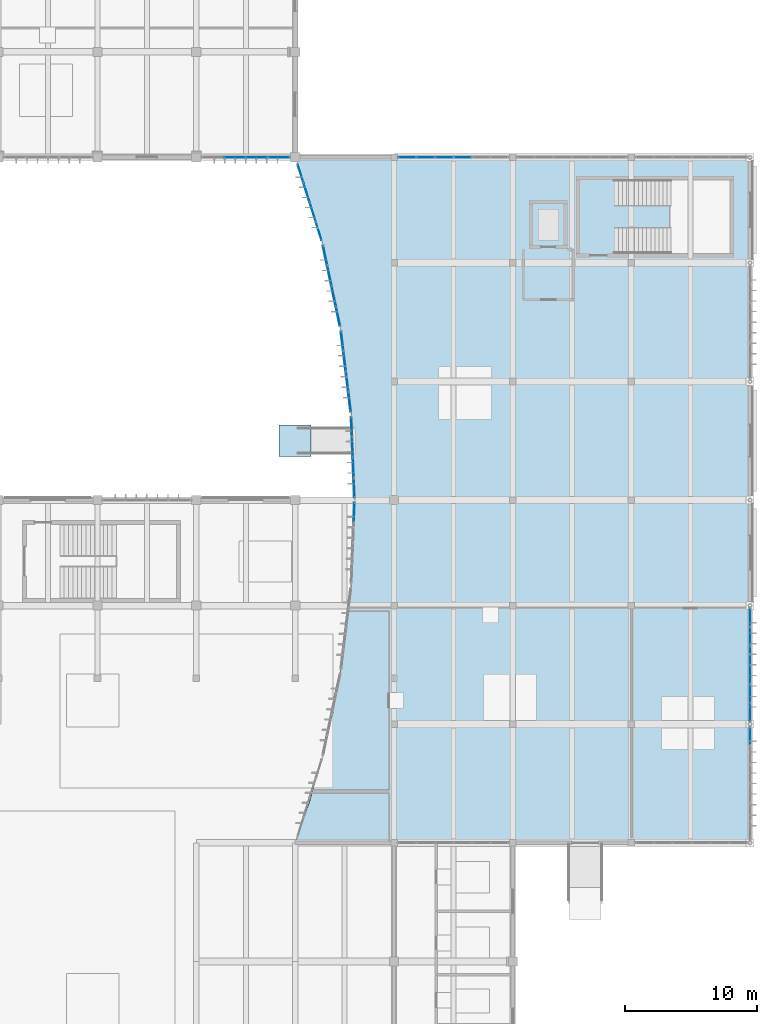
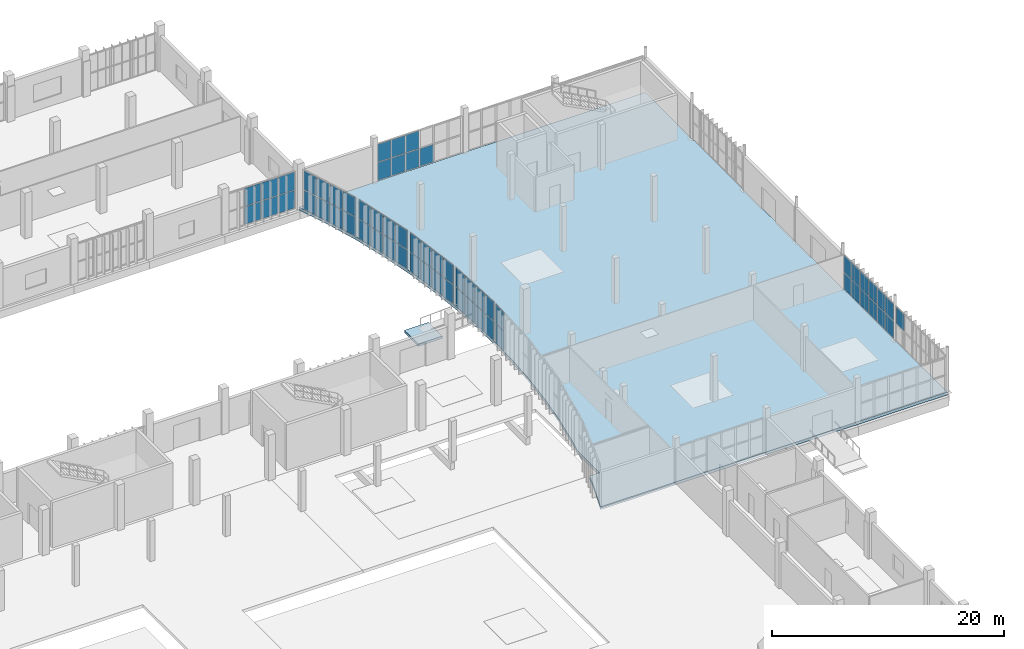
# One storey, part 40 of 72: 60 plates, 2 slabs, 9 elements without a shape of their own.
"""IFC4 building model written with IfcOpenShell, lengths in metres."""

from ifc_helpers import new_model, si_unit, direction, frame, origin, origin_2d, place, context, subcontext, project, spatial, polyline, rectangle, outline, extrude, material, layer, layer_set, type_object, element, aggregate, save


model = new_model("IFC4")

# Units and contexts
model_context = context("Model", 3, precision=1e-05, world=origin(), true_north=direction((0.0, 1.0)))
body_context = subcontext(model_context, "Body", "Model", "MODEL_VIEW")
ifc_project = project(units=[si_unit("LENGTHUNIT", "METRE"), si_unit("AREAUNIT", "SQUARE_METRE"), si_unit("VOLUMEUNIT", "CUBIC_METRE"), si_unit("PLANEANGLEUNIT", "RADIAN"), si_unit("MASSUNIT", "GRAM", prefix="KILO")], contexts=[model_context])

# Site, building, storey
site_placement = place(None, origin())
site = spatial("IfcSite", under=ifc_project, at=site_placement, CompositionType="ELEMENT")
building_placement = place(site_placement, origin())
building = spatial("IfcBuilding", under=site, at=building_placement, Name="Vourika Railside Aquatics Centre", CompositionType="ELEMENT")
storey_placement = place(building_placement, origin())
storey = spatial("IfcBuildingStorey", under=building, at=storey_placement, Name="L00", CompositionType="ELEMENT", Elevation=0.0)

# Curtain wall, plates
ifc_material_1 = material(Name="Anodized thermally broken aluminium", Category="aluminium")
curtain_wall_type_1 = type_object("IfcCurtainWallType", Name="CW-FIT0", PredefinedType="NOTDEFINED", material=ifc_material_1)
curtain_wall_1_placement = place(storey_placement, origin())
curtain_wall_1 = element("IfcCurtainWall", 1, at=curtain_wall_1_placement, inside=storey, type_object=curtain_wall_type_1, Name="Courtyard Fitness Curtain Wall L00-13", PredefinedType="NOTDEFINED")
ifc_material_2 = material(Name="Low-E solar-control laminated double glazing", Category="glass")
ifc_layer_1 = layer(ifc_material_2, 0.031982421875, Name="CWP-FIT0")
ifc_layer_set_1 = layer_set([ifc_layer_1], Name="Low-E solar-control laminated double glazing")
plate_type_1 = type_object("IfcPlateType", Name="CWP-FIT0", PredefinedType="CURTAIN_PANEL", material=ifc_layer_set_1)
plate_1_placement = place(storey_placement, frame((128.907470703125, 92.0, 0.06494140625), z_axis=(0.0, 0.0, 1.0), x_axis=(1.0, 0.0, 0.0)))
plate_1 = element("IfcPlate", 2, at=plate_1_placement, type_object=plate_type_1, Name="CW14 panel 2.1", PredefinedType="CURTAIN_PANEL", context=body_context, shape_type="SweptSolid", body=[
    extrude(rectangle(XDim=1.6201171875, YDim=0.031982421875, at=origin_2d()), origin(), (0.0, 0.0, 1.0), 1.867431640625),
])
plate_2_placement = place(storey_placement, frame((128.907470703125, 92.0, 1.99755859375), z_axis=(0.0, 0.0, 1.0), x_axis=(1.0, 0.0, 0.0)))
plate_2 = element("IfcPlate", 3, at=plate_2_placement, type_object=plate_type_1, Name="CW14 panel 2.2", PredefinedType="CURTAIN_PANEL", context=body_context, shape_type="SweptSolid", body=[
    extrude(rectangle(XDim=1.6201171875, YDim=0.031982421875, at=origin_2d()), origin(), (0.0, 0.0, 1.0), 1.867431640625),
])
plate_3_placement = place(storey_placement, frame((130.592529296875, 92.0, 0.06494140625), z_axis=(0.0, 0.0, 1.0), x_axis=(1.0, 0.0, 0.0)))
plate_3 = element("IfcPlate", 4, at=plate_3_placement, type_object=plate_type_1, Name="CW14 panel 3.1", PredefinedType="CURTAIN_PANEL", context=body_context, shape_type="SweptSolid", body=[
    extrude(rectangle(XDim=1.6201171875, YDim=0.031982421875, at=origin_2d()), origin(), (0.0, 0.0, 1.0), 1.867431640625),
])
plate_4_placement = place(storey_placement, frame((130.592529296875, 92.0, 1.99755859375), z_axis=(0.0, 0.0, 1.0), x_axis=(1.0, 0.0, 0.0)))
plate_4 = element("IfcPlate", 5, at=plate_4_placement, type_object=plate_type_1, Name="CW14 panel 3.2", PredefinedType="CURTAIN_PANEL", context=body_context, shape_type="SweptSolid", body=[
    extrude(rectangle(XDim=1.6201171875, YDim=0.031982421875, at=origin_2d()), origin(), (0.0, 0.0, 1.0), 1.867431640625),
])
plate_5_placement = place(storey_placement, frame((132.26123046875, 92.0, 0.06494140625), z_axis=(0.0, 0.0, 1.0), x_axis=(1.0, 0.0, 0.0)))
plate_5 = element("IfcPlate", 6, at=plate_5_placement, type_object=plate_type_1, Name="CW14 panel 4.1", PredefinedType="CURTAIN_PANEL", context=body_context, shape_type="SweptSolid", body=[
    extrude(rectangle(XDim=1.58740234375, YDim=0.031982421875, at=origin_2d()), origin(), (0.0, 0.0, 1.0), 1.867431640625),
])
plate_6_placement = place(storey_placement, frame((132.26123046875, 92.0, 1.99755859375), z_axis=(0.0, 0.0, 1.0), x_axis=(1.0, 0.0, 0.0)))
plate_6 = element("IfcPlate", 7, at=plate_6_placement, type_object=plate_type_1, Name="CW14 panel 4.2", PredefinedType="CURTAIN_PANEL", context=body_context, shape_type="SweptSolid", body=[
    extrude(rectangle(XDim=1.58740234375, YDim=0.031982421875, at=origin_2d()), origin(), (0.0, 0.0, 1.0), 1.867431640625),
])
aggregate(curtain_wall_1, [plate_1, plate_2, plate_3, plate_4, plate_5, plate_6])

curtain_wall_type_2 = type_object("IfcCurtainWallType", Name="CW-FOYC0", PredefinedType="NOTDEFINED", material=ifc_material_1)
curtain_wall_2_placement = place(storey_placement, origin())
curtain_wall_2 = element("IfcCurtainWall", 8, at=curtain_wall_2_placement, inside=storey, type_object=curtain_wall_type_2, Name="Curved Courtyard Foyer Curtain Wall L00-4", PredefinedType="NOTDEFINED")
ifc_layer_2 = layer(ifc_material_2, 0.031982421875, Name="CWP-FOYC0")
ifc_layer_set_2 = layer_set([ifc_layer_2], Name="Low-E solar-control laminated double glazing")
plate_type_2 = type_object("IfcPlateType", Name="CWP-FOYC0", PredefinedType="CURTAIN_PANEL", material=ifc_layer_set_2)
plate_7_placement = place(storey_placement, frame((137.968017578125, 65.06396484375, 0.07421875), z_axis=(0.0, 0.0, 1.0), x_axis=(-0.040000115606, -0.999199675116, 0.0)))
plate_7 = element("IfcPlate", 9, at=plate_7_placement, type_object=plate_type_2, Name="CW07 panel 1.1", PredefinedType="CURTAIN_PANEL", context=body_context, shape_type="SweptSolid", body=[
    extrude(rectangle(XDim=1.4453125, YDim=0.031982421875, at=origin_2d()), origin(), (0.0, 0.0, 1.0), 1.989013671875),
])
plate_8_placement = place(storey_placement, frame((137.968017578125, 65.06396484375, 2.13720703125), z_axis=(0.0, 0.0, 1.0), x_axis=(-0.040000115606, -0.999199675116, 0.0)))
plate_8 = element("IfcPlate", 10, at=plate_8_placement, type_object=plate_type_2, Name="CW07 panel 1.2", PredefinedType="CURTAIN_PANEL", context=body_context, shape_type="SweptSolid", body=[
    extrude(rectangle(XDim=1.4453125, YDim=0.031982421875, at=origin_2d()), origin(), (0.0, 0.0, 1.0), 1.989013671875),
])
aggregate(curtain_wall_2, [plate_7, plate_8])

curtain_wall_3_placement = place(storey_placement, origin())
curtain_wall_3 = element("IfcCurtainWall", 11, at=curtain_wall_3_placement, inside=storey, type_object=curtain_wall_type_2, Name="Curved Courtyard Foyer Curtain Wall L00-5", PredefinedType="NOTDEFINED")
plate_9_placement = place(storey_placement, frame((137.782958984375, 71.56396484375, 0.07421875), z_axis=(0.0, 0.0, 1.0), x_axis=(0.040000115606, -0.999199675116, 0.0)))
plate_9 = element("IfcPlate", 12, at=plate_9_placement, type_object=plate_type_2, Name="CW07 panel 1.1", PredefinedType="CURTAIN_PANEL", context=body_context, shape_type="SweptSolid", body=[
    extrude(rectangle(XDim=1.4453125, YDim=0.031982421875, at=origin_2d()), origin(), (0.0, 0.0, 1.0), 1.989013671875),
])
plate_10_placement = place(storey_placement, frame((137.782958984375, 71.56396484375, 2.13720703125), z_axis=(0.0, 0.0, 1.0), x_axis=(0.040000115606, -0.999199675116, 0.0)))
plate_10 = element("IfcPlate", 13, at=plate_10_placement, type_object=plate_type_2, Name="CW07 panel 1.2", PredefinedType="CURTAIN_PANEL", context=body_context, shape_type="SweptSolid", body=[
    extrude(rectangle(XDim=1.4453125, YDim=0.031982421875, at=origin_2d()), origin(), (0.0, 0.0, 1.0), 1.989013671875),
])
plate_11_placement = place(storey_placement, frame((137.844482421875, 70.027587890625, 0.07421875), z_axis=(0.0, 0.0, 1.0), x_axis=(0.040000115606, -0.999199675116, 0.0)))
plate_11 = element("IfcPlate", 14, at=plate_11_placement, type_object=plate_type_2, Name="CW07 panel 2.1", PredefinedType="CURTAIN_PANEL", context=body_context, shape_type="SweptSolid", body=[
    extrude(rectangle(XDim=1.482177734375, YDim=0.031982421875, at=origin_2d()), origin(), (0.0, 0.0, 1.0), 1.989013671875),
])
plate_12_placement = place(storey_placement, frame((137.844482421875, 70.027587890625, 2.13720703125), z_axis=(0.0, 0.0, 1.0), x_axis=(0.040000115606, -0.999199675116, 0.0)))
plate_12 = element("IfcPlate", 15, at=plate_12_placement, type_object=plate_type_2, Name="CW07 panel 2.2", PredefinedType="CURTAIN_PANEL", context=body_context, shape_type="SweptSolid", body=[
    extrude(rectangle(XDim=1.482177734375, YDim=0.031982421875, at=origin_2d()), origin(), (0.0, 0.0, 1.0), 1.989013671875),
])
plate_13_placement = place(storey_placement, frame((137.90673828125, 68.472412109375, 0.07421875), z_axis=(0.0, 0.0, 1.0), x_axis=(0.040000115606, -0.999199675116, 0.0)))
plate_13 = element("IfcPlate", 16, at=plate_13_placement, type_object=plate_type_2, Name="CW07 panel 3.1", PredefinedType="CURTAIN_PANEL", context=body_context, shape_type="SweptSolid", body=[
    extrude(rectangle(XDim=1.482177734375, YDim=0.031982421875, at=origin_2d()), origin(), (0.0, 0.0, 1.0), 1.989013671875),
])
plate_14_placement = place(storey_placement, frame((137.90673828125, 68.472412109375, 2.13720703125), z_axis=(0.0, 0.0, 1.0), x_axis=(0.040000115606, -0.999199675116, 0.0)))
plate_14 = element("IfcPlate", 17, at=plate_14_placement, type_object=plate_type_2, Name="CW07 panel 3.2", PredefinedType="CURTAIN_PANEL", context=body_context, shape_type="SweptSolid", body=[
    extrude(rectangle(XDim=1.482177734375, YDim=0.031982421875, at=origin_2d()), origin(), (0.0, 0.0, 1.0), 1.989013671875),
])
plate_15_placement = place(storey_placement, frame((137.968017578125, 66.93603515625, 0.07421875), z_axis=(0.0, 0.0, 1.0), x_axis=(0.040000115606, -0.999199675116, 0.0)))
plate_15 = element("IfcPlate", 18, at=plate_15_placement, type_object=plate_type_2, Name="CW07 panel 4.1", PredefinedType="CURTAIN_PANEL", context=body_context, shape_type="SweptSolid", body=[
    extrude(rectangle(XDim=1.4453125, YDim=0.031982421875, at=origin_2d()), origin(), (0.0, 0.0, 1.0), 1.989013671875),
])
plate_16_placement = place(storey_placement, frame((137.968017578125, 66.93603515625, 2.13720703125), z_axis=(0.0, 0.0, 1.0), x_axis=(0.040000115606, -0.999199675116, 0.0)))
plate_16 = element("IfcPlate", 19, at=plate_16_placement, type_object=plate_type_2, Name="CW07 panel 4.2", PredefinedType="CURTAIN_PANEL", context=body_context, shape_type="SweptSolid", body=[
    extrude(rectangle(XDim=1.4453125, YDim=0.031982421875, at=origin_2d()), origin(), (0.0, 0.0, 1.0), 1.989013671875),
])
aggregate(curtain_wall_3, [plate_9, plate_10, plate_11, plate_12, plate_13, plate_14, plate_15, plate_16])

curtain_wall_4_placement = place(storey_placement, origin())
curtain_wall_4 = element("IfcCurtainWall", 20, at=curtain_wall_4_placement, inside=storey, type_object=curtain_wall_type_2, Name="Curved Courtyard Foyer Curtain Wall L00-6", PredefinedType="NOTDEFINED")
plate_17_placement = place(storey_placement, frame((137.0654296875, 78.064208984375, 0.07421875), z_axis=(0.0, 0.0, 1.0), x_axis=(0.121441721361, -0.992598563525, 0.0)))
plate_17 = element("IfcPlate", 21, at=plate_17_placement, type_object=plate_type_2, Name="CW07 panel 1.1", PredefinedType="CURTAIN_PANEL", context=body_context, shape_type="SweptSolid", body=[
    extrude(rectangle(XDim=1.45556640625, YDim=0.031982421875, at=origin_2d()), origin(), (0.0, 0.0, 1.0), 1.989013671875),
])
plate_18_placement = place(storey_placement, frame((137.0654296875, 78.064208984375, 2.13720703125), z_axis=(0.0, 0.0, 1.0), x_axis=(0.121441721361, -0.992598563525, 0.0)))
plate_18 = element("IfcPlate", 22, at=plate_18_placement, type_object=plate_type_2, Name="CW07 panel 1.2", PredefinedType="CURTAIN_PANEL", context=body_context, shape_type="SweptSolid", body=[
    extrude(rectangle(XDim=1.45556640625, YDim=0.031982421875, at=origin_2d()), origin(), (0.0, 0.0, 1.0), 1.989013671875),
])
plate_19_placement = place(storey_placement, frame((137.25341796875, 76.527587890625, 0.07421875), z_axis=(0.0, 0.0, 1.0), x_axis=(0.121441721361, -0.992598563525, 0.0)))
plate_19 = element("IfcPlate", 23, at=plate_19_placement, type_object=plate_type_2, Name="CW07 panel 2.1", PredefinedType="CURTAIN_PANEL", context=body_context, shape_type="SweptSolid", body=[
    extrude(rectangle(XDim=1.49267578125, YDim=0.031982421875, at=origin_2d()), origin(), (0.0, 0.0, 1.0), 1.989013671875),
])
plate_20_placement = place(storey_placement, frame((137.25341796875, 76.527587890625, 2.13720703125), z_axis=(0.0, 0.0, 1.0), x_axis=(0.121441721361, -0.992598563525, 0.0)))
plate_20 = element("IfcPlate", 24, at=plate_20_placement, type_object=plate_type_2, Name="CW07 panel 2.2", PredefinedType="CURTAIN_PANEL", context=body_context, shape_type="SweptSolid", body=[
    extrude(rectangle(XDim=1.49267578125, YDim=0.031982421875, at=origin_2d()), origin(), (0.0, 0.0, 1.0), 1.989013671875),
])
plate_21_placement = place(storey_placement, frame((137.443603515625, 74.972412109375, 0.07421875), z_axis=(0.0, 0.0, 1.0), x_axis=(0.121441721361, -0.992598563525, 0.0)))
plate_21 = element("IfcPlate", 25, at=plate_21_placement, type_object=plate_type_2, Name="CW07 panel 3.1", PredefinedType="CURTAIN_PANEL", context=body_context, shape_type="SweptSolid", body=[
    extrude(rectangle(XDim=1.49267578125, YDim=0.031982421875, at=origin_2d()), origin(), (0.0, 0.0, 1.0), 1.989013671875),
])
plate_22_placement = place(storey_placement, frame((137.443603515625, 74.972412109375, 2.13720703125), z_axis=(0.0, 0.0, 1.0), x_axis=(0.121441721361, -0.992598563525, 0.0)))
plate_22 = element("IfcPlate", 26, at=plate_22_placement, type_object=plate_type_2, Name="CW07 panel 3.2", PredefinedType="CURTAIN_PANEL", context=body_context, shape_type="SweptSolid", body=[
    extrude(rectangle(XDim=1.49267578125, YDim=0.031982421875, at=origin_2d()), origin(), (0.0, 0.0, 1.0), 1.989013671875),
])
plate_23_placement = place(storey_placement, frame((137.631591796875, 73.435791015625, 0.07421875), z_axis=(0.0, 0.0, 1.0), x_axis=(0.121441721361, -0.992598563525, 0.0)))
plate_23 = element("IfcPlate", 27, at=plate_23_placement, type_object=plate_type_2, Name="CW07 panel 4.1", PredefinedType="CURTAIN_PANEL", context=body_context, shape_type="SweptSolid", body=[
    extrude(rectangle(XDim=1.45556640625, YDim=0.031982421875, at=origin_2d()), origin(), (0.0, 0.0, 1.0), 1.989013671875),
])
plate_24_placement = place(storey_placement, frame((137.631591796875, 73.435791015625, 2.13720703125), z_axis=(0.0, 0.0, 1.0), x_axis=(0.121441721361, -0.992598563525, 0.0)))
plate_24 = element("IfcPlate", 28, at=plate_24_placement, type_object=plate_type_2, Name="CW07 panel 4.2", PredefinedType="CURTAIN_PANEL", context=body_context, shape_type="SweptSolid", body=[
    extrude(rectangle(XDim=1.45556640625, YDim=0.031982421875, at=origin_2d()), origin(), (0.0, 0.0, 1.0), 1.989013671875),
])
aggregate(curtain_wall_4, [plate_17, plate_18, plate_19, plate_20, plate_21, plate_22, plate_23, plate_24])

curtain_wall_5_placement = place(storey_placement, origin())
curtain_wall_5 = element("IfcCurtainWall", 29, at=curtain_wall_5_placement, inside=storey, type_object=curtain_wall_type_2, Name="Curved Courtyard Foyer Curtain Wall L00-7", PredefinedType="NOTDEFINED")
plate_25_placement = place(storey_placement, frame((135.770751953125, 84.564453125, 0.07421875), z_axis=(0.0, 0.0, 1.0), x_axis=(0.207595418094, -0.978214773139, 0.0)))
plate_25 = element("IfcPlate", 30, at=plate_25_placement, type_object=plate_type_2, Name="CW07 panel 1.1", PredefinedType="CURTAIN_PANEL", context=body_context, shape_type="SweptSolid", body=[
    extrude(rectangle(XDim=1.478515625, YDim=0.031982421875, at=origin_2d()), origin(), (0.0, 0.0, 1.0), 1.989013671875),
])
plate_26_placement = place(storey_placement, frame((135.770751953125, 84.564453125, 2.13720703125), z_axis=(0.0, 0.0, 1.0), x_axis=(0.207595418094, -0.978214773139, 0.0)))
plate_26 = element("IfcPlate", 31, at=plate_26_placement, type_object=plate_type_2, Name="CW07 panel 1.2", PredefinedType="CURTAIN_PANEL", context=body_context, shape_type="SweptSolid", body=[
    extrude(rectangle(XDim=1.478515625, YDim=0.031982421875, at=origin_2d()), origin(), (0.0, 0.0, 1.0), 1.989013671875),
])
plate_27_placement = place(storey_placement, frame((136.096923828125, 83.027587890625, 0.07421875), z_axis=(0.0, 0.0, 1.0), x_axis=(0.207595418094, -0.978214773139, 0.0)))
plate_27 = element("IfcPlate", 32, at=plate_27_placement, type_object=plate_type_2, Name="CW07 panel 2.1", PredefinedType="CURTAIN_PANEL", context=body_context, shape_type="SweptSolid", body=[
    extrude(rectangle(XDim=1.515625, YDim=0.031982421875, at=origin_2d()), origin(), (0.0, 0.0, 1.0), 1.989013671875),
])
plate_28_placement = place(storey_placement, frame((136.096923828125, 83.027587890625, 2.13720703125), z_axis=(0.0, 0.0, 1.0), x_axis=(0.207595418094, -0.978214773139, 0.0)))
plate_28 = element("IfcPlate", 33, at=plate_28_placement, type_object=plate_type_2, Name="CW07 panel 2.2", PredefinedType="CURTAIN_PANEL", context=body_context, shape_type="SweptSolid", body=[
    extrude(rectangle(XDim=1.515625, YDim=0.031982421875, at=origin_2d()), origin(), (0.0, 0.0, 1.0), 1.989013671875),
])
plate_29_placement = place(storey_placement, frame((136.427001953125, 81.472412109375, 0.07421875), z_axis=(0.0, 0.0, 1.0), x_axis=(0.207595418094, -0.978214773139, 0.0)))
plate_29 = element("IfcPlate", 34, at=plate_29_placement, type_object=plate_type_2, Name="CW07 panel 3.1", PredefinedType="CURTAIN_PANEL", context=body_context, shape_type="SweptSolid", body=[
    extrude(rectangle(XDim=1.515625, YDim=0.031982421875, at=origin_2d()), origin(), (0.0, 0.0, 1.0), 1.989013671875),
])
plate_30_placement = place(storey_placement, frame((136.427001953125, 81.472412109375, 2.13720703125), z_axis=(0.0, 0.0, 1.0), x_axis=(0.207595418094, -0.978214773139, 0.0)))
plate_30 = element("IfcPlate", 35, at=plate_30_placement, type_object=plate_type_2, Name="CW07 panel 3.2", PredefinedType="CURTAIN_PANEL", context=body_context, shape_type="SweptSolid", body=[
    extrude(rectangle(XDim=1.515625, YDim=0.031982421875, at=origin_2d()), origin(), (0.0, 0.0, 1.0), 1.989013671875),
])
plate_31_placement = place(storey_placement, frame((136.753173828125, 79.935546875, 0.07421875), z_axis=(0.0, 0.0, 1.0), x_axis=(0.207595418094, -0.978214773139, 0.0)))
plate_31 = element("IfcPlate", 36, at=plate_31_placement, type_object=plate_type_2, Name="CW07 panel 4.1", PredefinedType="CURTAIN_PANEL", context=body_context, shape_type="SweptSolid", body=[
    extrude(rectangle(XDim=1.478515625, YDim=0.031982421875, at=origin_2d()), origin(), (0.0, 0.0, 1.0), 1.989013671875),
])
plate_32_placement = place(storey_placement, frame((136.753173828125, 79.935546875, 2.13720703125), z_axis=(0.0, 0.0, 1.0), x_axis=(0.207595418094, -0.978214773139, 0.0)))
plate_32 = element("IfcPlate", 37, at=plate_32_placement, type_object=plate_type_2, Name="CW07 panel 4.2", PredefinedType="CURTAIN_PANEL", context=body_context, shape_type="SweptSolid", body=[
    extrude(rectangle(XDim=1.478515625, YDim=0.031982421875, at=origin_2d()), origin(), (0.0, 0.0, 1.0), 1.989013671875),
])
aggregate(curtain_wall_5, [plate_25, plate_26, plate_27, plate_28, plate_29, plate_30, plate_31, plate_32])

curtain_wall_6_placement = place(storey_placement, origin())
curtain_wall_6 = element("IfcCurtainWall", 38, at=curtain_wall_6_placement, inside=storey, type_object=curtain_wall_type_2, Name="Curved Courtyard Foyer Curtain Wall L00-8", PredefinedType="NOTDEFINED")
plate_33_placement = place(storey_placement, frame((133.916748046875, 90.767333984375, 0.07421875), z_axis=(0.0, 0.0, 1.0), x_axis=(0.29997424472, -0.953947300696, 0.0)))
plate_33 = element("IfcPlate", 39, at=plate_33_placement, type_object=plate_type_2, Name="CW07 panel 1.1", PredefinedType="CURTAIN_PANEL", context=body_context, shape_type="SweptSolid", body=[
    extrude(rectangle(XDim=1.429931640625, YDim=0.031982421875, at=origin_2d()), origin(), (0.0, 0.0, 1.0), 1.989013671875),
])
plate_34_placement = place(storey_placement, frame((133.916748046875, 90.767333984375, 2.13720703125), z_axis=(0.0, 0.0, 1.0), x_axis=(0.29997424472, -0.953947300696, 0.0)))
plate_34 = element("IfcPlate", 40, at=plate_34_placement, type_object=plate_type_2, Name="CW07 panel 1.2", PredefinedType="CURTAIN_PANEL", context=body_context, shape_type="SweptSolid", body=[
    extrude(rectangle(XDim=1.429931640625, YDim=0.031982421875, at=origin_2d()), origin(), (0.0, 0.0, 1.0), 1.989013671875),
])
plate_35_placement = place(storey_placement, frame((134.373291015625, 89.31494140625, 0.07421875), z_axis=(0.0, 0.0, 1.0), x_axis=(0.29997424472, -0.953947300696, 0.0)))
plate_35 = element("IfcPlate", 41, at=plate_35_placement, type_object=plate_type_2, Name="CW07 panel 2.1", PredefinedType="CURTAIN_PANEL", context=body_context, shape_type="SweptSolid", body=[
    extrude(rectangle(XDim=1.467041015625, YDim=0.031982421875, at=origin_2d()), origin(), (0.0, 0.0, 1.0), 1.989013671875),
])
plate_36_placement = place(storey_placement, frame((134.373291015625, 89.31494140625, 2.13720703125), z_axis=(0.0, 0.0, 1.0), x_axis=(0.29997424472, -0.953947300696, 0.0)))
plate_36 = element("IfcPlate", 42, at=plate_36_placement, type_object=plate_type_2, Name="CW07 panel 2.2", PredefinedType="CURTAIN_PANEL", context=body_context, shape_type="SweptSolid", body=[
    extrude(rectangle(XDim=1.467041015625, YDim=0.031982421875, at=origin_2d()), origin(), (0.0, 0.0, 1.0), 1.989013671875),
])
plate_37_placement = place(storey_placement, frame((134.835693359375, 87.844970703125, 0.07421875), z_axis=(0.0, 0.0, 1.0), x_axis=(0.29997424472, -0.953947300696, 0.0)))
plate_37 = element("IfcPlate", 43, at=plate_37_placement, type_object=plate_type_2, Name="CW07 panel 3.1", PredefinedType="CURTAIN_PANEL", context=body_context, shape_type="SweptSolid", body=[
    extrude(rectangle(XDim=1.467041015625, YDim=0.031982421875, at=origin_2d()), origin(), (0.0, 0.0, 1.0), 1.989013671875),
])
plate_38_placement = place(storey_placement, frame((134.835693359375, 87.844970703125, 2.13720703125), z_axis=(0.0, 0.0, 1.0), x_axis=(0.29997424472, -0.953947300696, 0.0)))
plate_38 = element("IfcPlate", 44, at=plate_38_placement, type_object=plate_type_2, Name="CW07 panel 3.2", PredefinedType="CURTAIN_PANEL", context=body_context, shape_type="SweptSolid", body=[
    extrude(rectangle(XDim=1.467041015625, YDim=0.031982421875, at=origin_2d()), origin(), (0.0, 0.0, 1.0), 1.989013671875),
])
plate_39_placement = place(storey_placement, frame((135.292236328125, 86.392578125, 0.07421875), z_axis=(0.0, 0.0, 1.0), x_axis=(0.29997424472, -0.953947300696, 0.0)))
plate_39 = element("IfcPlate", 45, at=plate_39_placement, type_object=plate_type_2, Name="CW07 panel 4.1", PredefinedType="CURTAIN_PANEL", context=body_context, shape_type="SweptSolid", body=[
    extrude(rectangle(XDim=1.429931640625, YDim=0.031982421875, at=origin_2d()), origin(), (0.0, 0.0, 1.0), 1.989013671875),
])
plate_40_placement = place(storey_placement, frame((135.292236328125, 86.392578125, 2.13720703125), z_axis=(0.0, 0.0, 1.0), x_axis=(0.29997424472, -0.953947300696, 0.0)))
plate_40 = element("IfcPlate", 46, at=plate_40_placement, type_object=plate_type_2, Name="CW07 panel 4.2", PredefinedType="CURTAIN_PANEL", context=body_context, shape_type="SweptSolid", body=[
    extrude(rectangle(XDim=1.429931640625, YDim=0.031982421875, at=origin_2d()), origin(), (0.0, 0.0, 1.0), 1.989013671875),
])
aggregate(curtain_wall_6, [plate_33, plate_34, plate_35, plate_36, plate_37, plate_38, plate_39, plate_40])

# Curtain wall, plate
curtain_wall_type_3 = type_object("IfcCurtainWallType", Name="CW-FOYE", PredefinedType="NOTDEFINED", material=ifc_material_1)
curtain_wall_7_placement = place(storey_placement, origin())
curtain_wall_7 = element("IfcCurtainWall", 47, at=curtain_wall_7_placement, inside=storey, type_object=curtain_wall_type_3, Name="East Arrival Facade Curtain Wall L00-1", PredefinedType="NOTDEFINED")
ifc_layer_3 = layer(ifc_material_2, 0.031982421875, Name="CWP-FOYE")
ifc_layer_set_3 = layer_set([ifc_layer_3], Name="Low-E solar-control laminated double glazing")
plate_type_3 = type_object("IfcPlateType", Name="CWP-FOYE", PredefinedType="CURTAIN_PANEL", material=ifc_layer_set_3)
plate_41_placement = place(storey_placement, frame((168.0, 48.092529296875, 1.902587890625), z_axis=(0.0, 0.0, 1.0), x_axis=(0.0, 1.0, 0.0)))
plate_41 = element("IfcPlate", 48, at=plate_41_placement, type_object=plate_type_3, Name="CW10 panel 6.2", PredefinedType="CURTAIN_PANEL", context=body_context, shape_type="SweptSolid", body=[
    extrude(rectangle(XDim=1.33203125, YDim=0.031982421875, at=origin_2d()), origin(), (0.0, 0.0, 1.0), 1.75244140625),
])
aggregate(curtain_wall_7, [plate_41])

# Curtain wall, plates
curtain_wall_8_placement = place(storey_placement, origin())
curtain_wall_8 = element("IfcCurtainWall", 49, at=curtain_wall_8_placement, inside=storey, type_object=curtain_wall_type_3, Name="East Arrival Facade Curtain Wall L00-2", PredefinedType="NOTDEFINED")
plate_42_placement = place(storey_placement, frame((168.0, 49.907470703125, 0.074951171875), z_axis=(0.0, 0.0, 1.0), x_axis=(0.0, 1.0, 0.0)))
plate_42 = element("IfcPlate", 50, at=plate_42_placement, type_object=plate_type_3, Name="CW10 panel 1.1", PredefinedType="CURTAIN_PANEL", context=body_context, shape_type="SweptSolid", body=[
    extrude(rectangle(XDim=1.33203125, YDim=0.031982421875, at=origin_2d()), origin(), (0.0, 0.0, 1.0), 1.75244140625),
])
plate_43_placement = place(storey_placement, frame((168.0, 49.907470703125, 1.902587890625), z_axis=(0.0, 0.0, 1.0), x_axis=(0.0, 1.0, 0.0)))
plate_43 = element("IfcPlate", 51, at=plate_43_placement, type_object=plate_type_3, Name="CW10 panel 1.2", PredefinedType="CURTAIN_PANEL", context=body_context, shape_type="SweptSolid", body=[
    extrude(rectangle(XDim=1.33203125, YDim=0.031982421875, at=origin_2d()), origin(), (0.0, 0.0, 1.0), 1.75244140625),
])
plate_44_placement = place(storey_placement, frame((168.0, 51.333251953125, 0.074951171875), z_axis=(0.0, 0.0, 1.0), x_axis=(0.0, 1.0, 0.0)))
plate_44 = element("IfcPlate", 52, at=plate_44_placement, type_object=plate_type_3, Name="CW10 panel 2.1", PredefinedType="CURTAIN_PANEL", context=body_context, shape_type="SweptSolid", body=[
    extrude(rectangle(XDim=1.369384765625, YDim=0.031982421875, at=origin_2d()), origin(), (0.0, 0.0, 1.0), 1.75244140625),
])
plate_45_placement = place(storey_placement, frame((168.0, 51.333251953125, 1.902587890625), z_axis=(0.0, 0.0, 1.0), x_axis=(0.0, 1.0, 0.0)))
plate_45 = element("IfcPlate", 53, at=plate_45_placement, type_object=plate_type_3, Name="CW10 panel 2.2", PredefinedType="CURTAIN_PANEL", context=body_context, shape_type="SweptSolid", body=[
    extrude(rectangle(XDim=1.369384765625, YDim=0.031982421875, at=origin_2d()), origin(), (0.0, 0.0, 1.0), 1.75244140625),
])
plate_46_placement = place(storey_placement, frame((168.0, 52.77783203125, 0.074951171875), z_axis=(0.0, 0.0, 1.0), x_axis=(0.0, 1.0, 0.0)))
plate_46 = element("IfcPlate", 54, at=plate_46_placement, type_object=plate_type_3, Name="CW10 panel 3.1", PredefinedType="CURTAIN_PANEL", context=body_context, shape_type="SweptSolid", body=[
    extrude(rectangle(XDim=1.369384765625, YDim=0.031982421875, at=origin_2d()), origin(), (0.0, 0.0, 1.0), 1.75244140625),
])
plate_47_placement = place(storey_placement, frame((168.0, 52.77783203125, 1.902587890625), z_axis=(0.0, 0.0, 1.0), x_axis=(0.0, 1.0, 0.0)))
plate_47 = element("IfcPlate", 55, at=plate_47_placement, type_object=plate_type_3, Name="CW10 panel 3.2", PredefinedType="CURTAIN_PANEL", context=body_context, shape_type="SweptSolid", body=[
    extrude(rectangle(XDim=1.369384765625, YDim=0.031982421875, at=origin_2d()), origin(), (0.0, 0.0, 1.0), 1.75244140625),
])
plate_48_placement = place(storey_placement, frame((168.0, 54.22216796875, 0.074951171875), z_axis=(0.0, 0.0, 1.0), x_axis=(0.0, 1.0, 0.0)))
plate_48 = element("IfcPlate", 56, at=plate_48_placement, type_object=plate_type_3, Name="CW10 panel 4.1", PredefinedType="CURTAIN_PANEL", context=body_context, shape_type="SweptSolid", body=[
    extrude(rectangle(XDim=1.369384765625, YDim=0.031982421875, at=origin_2d()), origin(), (0.0, 0.0, 1.0), 1.75244140625),
])
plate_49_placement = place(storey_placement, frame((168.0, 54.22216796875, 1.902587890625), z_axis=(0.0, 0.0, 1.0), x_axis=(0.0, 1.0, 0.0)))
plate_49 = element("IfcPlate", 57, at=plate_49_placement, type_object=plate_type_3, Name="CW10 panel 4.2", PredefinedType="CURTAIN_PANEL", context=body_context, shape_type="SweptSolid", body=[
    extrude(rectangle(XDim=1.369384765625, YDim=0.031982421875, at=origin_2d()), origin(), (0.0, 0.0, 1.0), 1.75244140625),
])
plate_50_placement = place(storey_placement, frame((168.0, 55.666748046875, 0.074951171875), z_axis=(0.0, 0.0, 1.0), x_axis=(0.0, 1.0, 0.0)))
plate_50 = element("IfcPlate", 58, at=plate_50_placement, type_object=plate_type_3, Name="CW10 panel 5.1", PredefinedType="CURTAIN_PANEL", context=body_context, shape_type="SweptSolid", body=[
    extrude(rectangle(XDim=1.369384765625, YDim=0.031982421875, at=origin_2d()), origin(), (0.0, 0.0, 1.0), 1.75244140625),
])
plate_51_placement = place(storey_placement, frame((168.0, 55.666748046875, 1.902587890625), z_axis=(0.0, 0.0, 1.0), x_axis=(0.0, 1.0, 0.0)))
plate_51 = element("IfcPlate", 59, at=plate_51_placement, type_object=plate_type_3, Name="CW10 panel 5.2", PredefinedType="CURTAIN_PANEL", context=body_context, shape_type="SweptSolid", body=[
    extrude(rectangle(XDim=1.369384765625, YDim=0.031982421875, at=origin_2d()), origin(), (0.0, 0.0, 1.0), 1.75244140625),
])
plate_52_placement = place(storey_placement, frame((168.0, 57.092529296875, 0.074951171875), z_axis=(0.0, 0.0, 1.0), x_axis=(0.0, 1.0, 0.0)))
plate_52 = element("IfcPlate", 60, at=plate_52_placement, type_object=plate_type_3, Name="CW10 panel 6.1", PredefinedType="CURTAIN_PANEL", context=body_context, shape_type="SweptSolid", body=[
    extrude(rectangle(XDim=1.33203125, YDim=0.031982421875, at=origin_2d()), origin(), (0.0, 0.0, 1.0), 1.75244140625),
])
plate_53_placement = place(storey_placement, frame((168.0, 57.092529296875, 1.902587890625), z_axis=(0.0, 0.0, 1.0), x_axis=(0.0, 1.0, 0.0)))
plate_53 = element("IfcPlate", 61, at=plate_53_placement, type_object=plate_type_3, Name="CW10 panel 6.2", PredefinedType="CURTAIN_PANEL", context=body_context, shape_type="SweptSolid", body=[
    extrude(rectangle(XDim=1.33203125, YDim=0.031982421875, at=origin_2d()), origin(), (0.0, 0.0, 1.0), 1.75244140625),
])
aggregate(curtain_wall_8, [plate_42, plate_43, plate_44, plate_45, plate_46, plate_47, plate_48, plate_49, plate_50, plate_51, plate_52, plate_53])

curtain_wall_type_4 = type_object("IfcCurtainWallType", Name="CW-FOYS", PredefinedType="NOTDEFINED", material=ifc_material_1)
curtain_wall_9_placement = place(storey_placement, origin())
curtain_wall_9 = element("IfcCurtainWall", 62, at=curtain_wall_9_placement, inside=storey, type_object=curtain_wall_type_4, Name="Foyer North Glazed Facade L00-1", PredefinedType="NOTDEFINED")
ifc_layer_4 = layer(ifc_material_2, 0.031982421875, Name="CWP-FOYS")
ifc_layer_set_4 = layer_set([ifc_layer_4], Name="Low-E solar-control laminated double glazing")
plate_type_4 = type_object("IfcPlateType", Name="CWP-FOYS", PredefinedType="CURTAIN_PANEL", material=ifc_layer_set_4)
plate_54_placement = place(storey_placement, frame((146.203369140625, 92.0, 0.072021484375), z_axis=(0.0, 0.0, 1.0), x_axis=(-1.0, 0.0, 0.0)))
plate_54 = element("IfcPlate", 63, at=plate_54_placement, type_object=plate_type_4, Name="CW11 panel 3.1", PredefinedType="CURTAIN_PANEL", context=body_context, shape_type="SweptSolid", body=[
    extrude(rectangle(XDim=1.334716796875, YDim=0.031982421875, at=origin_2d()), origin(), (0.0, 0.0, 1.0), 1.85693359375),
])
plate_55_placement = place(storey_placement, frame((144.796630859375, 92.0, 0.072021484375), z_axis=(0.0, 0.0, 1.0), x_axis=(-1.0, 0.0, 0.0)))
plate_55 = element("IfcPlate", 64, at=plate_55_placement, type_object=plate_type_4, Name="CW11 panel 4.1", PredefinedType="CURTAIN_PANEL", context=body_context, shape_type="SweptSolid", body=[
    extrude(rectangle(XDim=1.334716796875, YDim=0.031982421875, at=origin_2d()), origin(), (0.0, 0.0, 1.0), 1.85693359375),
])
plate_56_placement = place(storey_placement, frame((144.796630859375, 92.0, 2.0009765625), z_axis=(0.0, 0.0, 1.0), x_axis=(-1.0, 0.0, 0.0)))
plate_56 = element("IfcPlate", 65, at=plate_56_placement, type_object=plate_type_4, Name="CW11 panel 4.2", PredefinedType="CURTAIN_PANEL", context=body_context, shape_type="SweptSolid", body=[
    extrude(rectangle(XDim=1.334716796875, YDim=0.031982421875, at=origin_2d()), origin(), (0.0, 0.0, 1.0), 1.85693359375),
])
plate_57_placement = place(storey_placement, frame((143.389892578125, 92.0, 0.072021484375), z_axis=(0.0, 0.0, 1.0), x_axis=(-1.0, 0.0, 0.0)))
plate_57 = element("IfcPlate", 66, at=plate_57_placement, type_object=plate_type_4, Name="CW11 panel 5.1", PredefinedType="CURTAIN_PANEL", context=body_context, shape_type="SweptSolid", body=[
    extrude(rectangle(XDim=1.334716796875, YDim=0.031982421875, at=origin_2d()), origin(), (0.0, 0.0, 1.0), 1.85693359375),
])
plate_58_placement = place(storey_placement, frame((143.389892578125, 92.0, 2.0009765625), z_axis=(0.0, 0.0, 1.0), x_axis=(-1.0, 0.0, 0.0)))
plate_58 = element("IfcPlate", 67, at=plate_58_placement, type_object=plate_type_4, Name="CW11 panel 5.2", PredefinedType="CURTAIN_PANEL", context=body_context, shape_type="SweptSolid", body=[
    extrude(rectangle(XDim=1.334716796875, YDim=0.031982421875, at=origin_2d()), origin(), (0.0, 0.0, 1.0), 1.85693359375),
])
plate_59_placement = place(storey_placement, frame((142.001220703125, 92.0, 0.072021484375), z_axis=(0.0, 0.0, 1.0), x_axis=(-1.0, 0.0, 0.0)))
plate_59 = element("IfcPlate", 68, at=plate_59_placement, type_object=plate_type_4, Name="CW11 panel 6.1", PredefinedType="CURTAIN_PANEL", context=body_context, shape_type="SweptSolid", body=[
    extrude(rectangle(XDim=1.298583984375, YDim=0.031982421875, at=origin_2d()), origin(), (0.0, 0.0, 1.0), 1.85693359375),
])
plate_60_placement = place(storey_placement, frame((142.001220703125, 92.0, 2.0009765625), z_axis=(0.0, 0.0, 1.0), x_axis=(-1.0, 0.0, 0.0)))
plate_60 = element("IfcPlate", 69, at=plate_60_placement, type_object=plate_type_4, Name="CW11 panel 6.2", PredefinedType="CURTAIN_PANEL", context=body_context, shape_type="SweptSolid", body=[
    extrude(rectangle(XDim=1.298583984375, YDim=0.031982421875, at=origin_2d()), origin(), (0.0, 0.0, 1.0), 1.85693359375),
])
aggregate(curtain_wall_9, [plate_54, plate_55, plate_56, plate_57, plate_58, plate_59, plate_60])

# Slabs
ifc_material_3 = material(Name="Concrete C35/45", Category="concrete")
ifc_layer_5 = layer(ifc_material_3, 0.2099609375, Name="SLB-ACCPAD-210")
ifc_layer_set_5 = layer_set([ifc_layer_5], Name="Concrete C35/45")
slab_type_1 = type_object("IfcSlabType", Name="SLB-ACCPAD-210", PredefinedType="FLOOR", material=ifc_layer_set_5)
slab_1_placement = place(storey_placement, frame((0.0, 0.0, -0.4599609375)))
element("IfcSlab", 70, at=slab_1_placement, inside=storey, type_object=slab_type_1, Name="Monsoon Courtyard Foyer Accessible Ramp AR3 Lower Landing Apron", PredefinedType="FLOOR", context=body_context, shape_type="SweptSolid", body=[
    extrude(outline(polyline([(132.280029296875, 69.300048828125), (134.679931640625, 69.300048828125), (134.679931640625, 71.699951171875), (132.280029296875, 71.699951171875), (132.280029296875, 69.300048828125)])), origin(), (0.0, 0.0, 1.0), 0.239990234375),
])
ifc_layer_6 = layer(ifc_material_3, 0.300048828125, Name="SLB-FLOOR-300")
ifc_layer_set_6 = layer_set([ifc_layer_6], Name="Concrete C35/45")
slab_type_2 = type_object("IfcSlabType", Name="SLB-FLOOR-300", PredefinedType="FLOOR", material=ifc_layer_set_6)
slab_2_placement = place(storey_placement, frame((0.0, 0.0, -0.300048828125)))
element("IfcSlab", 71, at=slab_2_placement, inside=storey, type_object=slab_type_2, Name="L00 Floor Slab (v3_foyer)", PredefinedType="FLOOR", context=body_context, shape_type="SweptSolid", body=[
    extrude(outline(polyline([(134.6279296875, 43.25), (134.98876953125, 44.5), (136.0, 44.5), (136.0, 48.339111328125), (136.3330078125, 49.75), (136.945068359375, 53.0), (137.410888671875, 56.25), (137.739990234375, 59.5), (137.93505859375, 62.75), (138.0, 66.0), (137.93505859375, 69.25), (137.739990234375, 72.5), (137.410888671875, 75.75), (136.945068359375, 79.0), (136.3330078125, 82.25), (135.56591796875, 85.5), (134.6279296875, 88.75), (133.5, 92.0), (168.0, 92.0), (168.0, 40.0), (133.5, 40.0), (134.6279296875, 43.25)])), origin(), (0.0, 0.0, 1.0), 0.300048828125),
])

save(model, "model.ifc")
